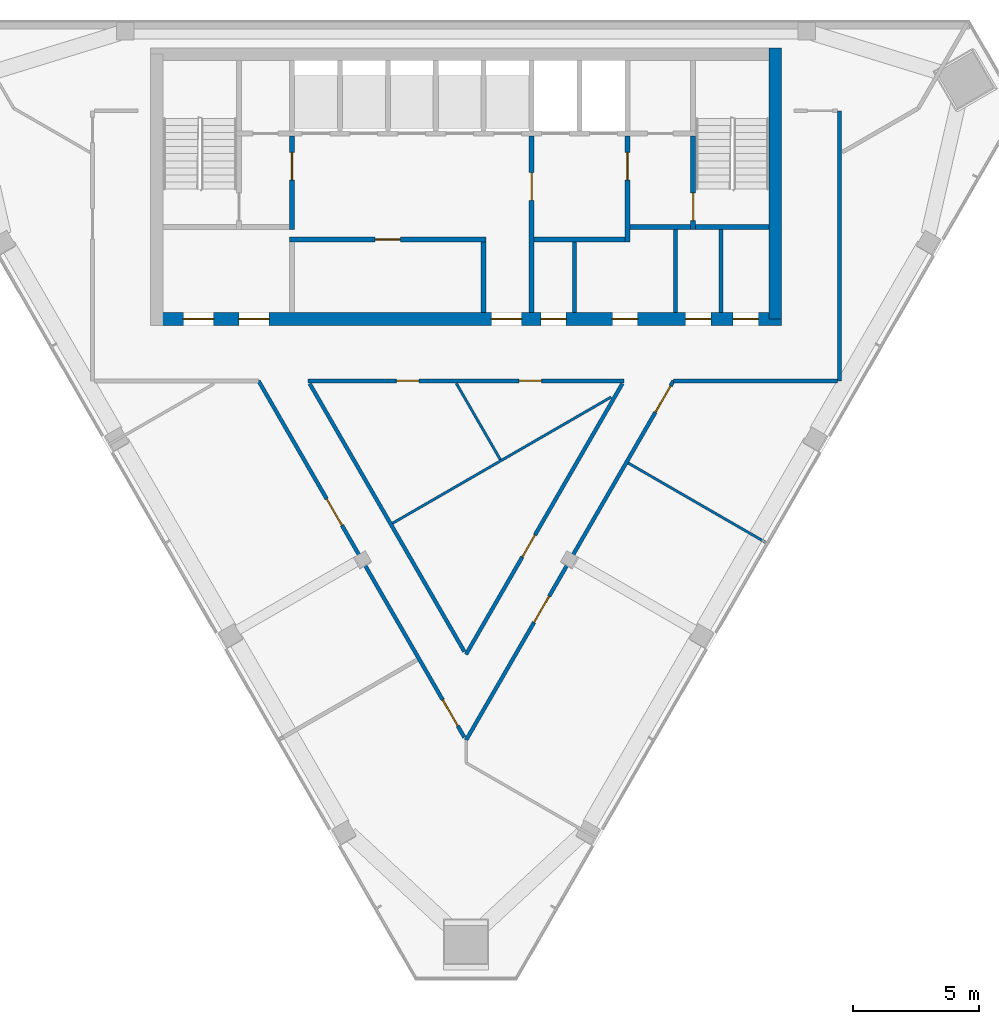
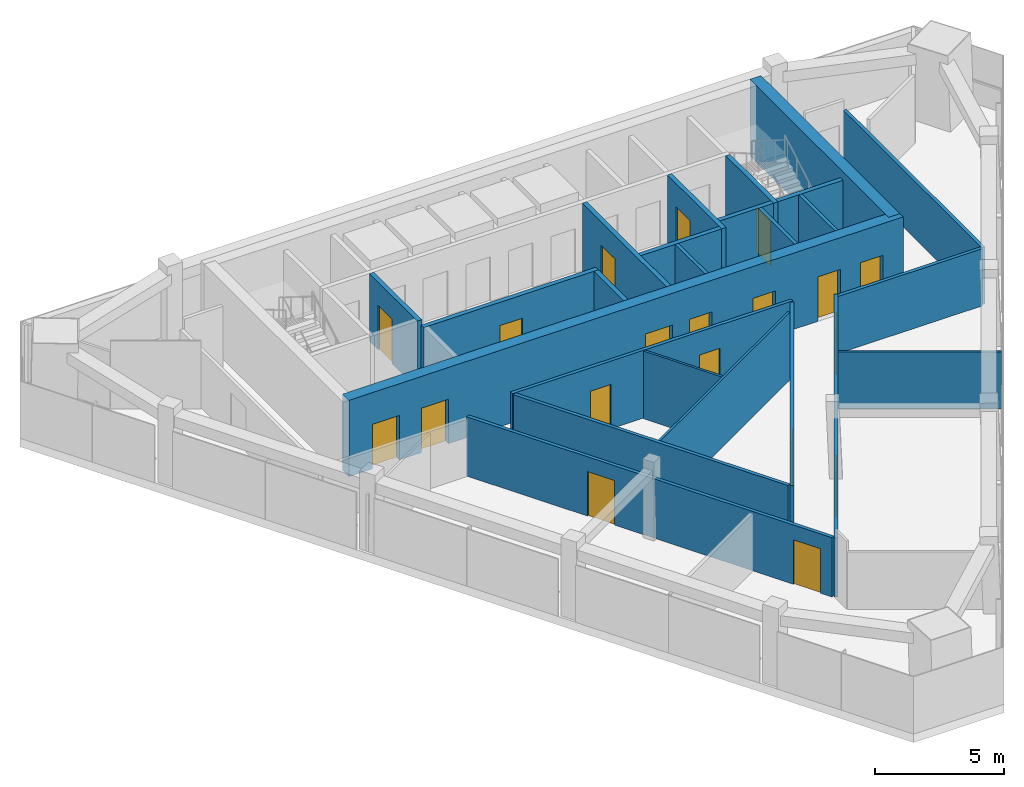
# One storey, part 6 of 9: 24 walls, 19 doors, 19 openings.
"""IFC4 building model written with IfcOpenShell, lengths in metres."""

from ifc_helpers import new_model, si_unit, direction, frame, frame_2d, origin, place, context, subcontext, project, spatial, rectangle, extrude, material, layer, layer_set, type_object, element, fill, save


model = new_model("IFC4")

# Units and contexts
model_context = context("Model", 3, precision=1e-05, world=origin(), true_north=direction((0.0, 1.0)))
body_context = subcontext(model_context, "Body", "Model", "MODEL_VIEW")
ifc_project = project(units=[si_unit("LENGTHUNIT", "METRE"), si_unit("AREAUNIT", "SQUARE_METRE"), si_unit("VOLUMEUNIT", "CUBIC_METRE"), si_unit("PLANEANGLEUNIT", "RADIAN"), si_unit("MASSUNIT", "GRAM", prefix="KILO")], contexts=[model_context])

# Site, building, storey
site_placement = place(None, origin())
site = spatial("IfcSite", under=ifc_project, at=site_placement, CompositionType="ELEMENT")
building_placement = place(site_placement, origin())
building = spatial("IfcBuilding", under=site, at=building_placement, Name="Altiplano Prism Tower", CompositionType="ELEMENT")
storey_placement = place(building_placement, frame((0.0, 0.0, 305.800048828125)))
storey = spatial("IfcBuildingStorey", under=building, at=storey_placement, Name="L79", CompositionType="ELEMENT", Elevation=305.800048828125)

# Wall, openings, doors
ifc_material_1 = material(Name="Concrete C60/75", Category="concrete")
ifc_layer_1 = layer(ifc_material_1, 0.5)
ifc_layer_set_1 = layer_set([ifc_layer_1], Name="Concrete C60/75")
wall_type_1 = type_object("IfcWallType", Name="Core wall 500", PredefinedType="SHEAR", material=ifc_layer_set_1)
wall_1_placement = place(storey_placement, frame((72.75, 93.14990234375, 0.0), z_axis=(0.0, 0.0, 1.0), x_axis=(1.0, 0.0, 0.0)))
wall_1 = element("IfcWall", 1, at=wall_1_placement, inside=storey, type_object=wall_type_1, Name="Core wall S L79", PredefinedType="SHEAR", context=body_context, shape_type="SweptSolid", body=[
    extrude(rectangle(XDim=24.75, YDim=0.5, at=frame_2d((12.375, 0.0))), origin(), (0.0, 0.0, 1.0), 3.599853515625),
])
opening_1_placement = place(wall_1_placement, frame((1.050048828125, 0.0, 0.0)))
opening_1 = element("IfcOpeningElement", 2, at=opening_1_placement, cuts=wall_1, Name="Opening D3698", PredefinedType="OPENING", context=body_context, shape_type="SweptSolid", body=[
    extrude(rectangle(XDim=1.199951171875, YDim=2.10009765625, at=frame_2d((0.60009765625, 1.050048828125))), frame((0.0, 0.260498046875, 0.0), z_axis=(0.0, -1.0, 0.0), x_axis=(1.0, 0.0, 0.0)), (0.0, 0.0, 1.0), 0.52099609375),
])
opening_2_placement = place(wall_1_placement, frame((3.25, 0.0, 0.0)))
opening_2 = element("IfcOpeningElement", 3, at=opening_2_placement, cuts=wall_1, Name="Opening D3699", PredefinedType="OPENING", context=body_context, shape_type="SweptSolid", body=[
    extrude(rectangle(XDim=1.199951171875, YDim=2.10009765625, at=frame_2d((0.60009765625, 1.050048828125))), frame((0.0, 0.260498046875, 0.0), z_axis=(0.0, -1.0, 0.0), x_axis=(1.0, 0.0, 0.0)), (0.0, 0.0, 1.0), 0.52099609375),
])
opening_3_placement = place(wall_1_placement, frame((13.25, 0.0, 0.0)))
opening_3 = element("IfcOpeningElement", 4, at=opening_3_placement, cuts=wall_1, Name="Opening D3700", PredefinedType="OPENING", context=body_context, shape_type="SweptSolid", body=[
    extrude(rectangle(XDim=1.199951171875, YDim=2.10009765625, at=frame_2d((0.60009765625, 1.050048828125))), frame((0.0, 0.260498046875, 0.0), z_axis=(0.0, -1.0, 0.0), x_axis=(1.0, 0.0, 0.0)), (0.0, 0.0, 1.0), 0.52099609375),
])
opening_4_placement = place(wall_1_placement, frame((15.21240234375, 0.0, 0.0)))
opening_4 = element("IfcOpeningElement", 5, at=opening_4_placement, cuts=wall_1, Name="Opening D3703", PredefinedType="OPENING", context=body_context, shape_type="SweptSolid", body=[
    extrude(rectangle(XDim=1.0, YDim=2.10009765625, at=frame_2d((0.5, 1.050048828125))), frame((0.0, 0.260498046875, 0.0), z_axis=(0.0, -1.0, 0.0), x_axis=(1.0, 0.0, 0.0)), (0.0, 0.0, 1.0), 0.52099609375),
])
opening_5_placement = place(wall_1_placement, frame((18.050048828125, 0.0, 0.0)))
opening_5 = element("IfcOpeningElement", 6, at=opening_5_placement, cuts=wall_1, Name="Opening D3704", PredefinedType="OPENING", context=body_context, shape_type="SweptSolid", body=[
    extrude(rectangle(XDim=1.0, YDim=2.10009765625, at=frame_2d((0.5, 1.050048828125))), frame((0.0, 0.260498046875, 0.0), z_axis=(0.0, -1.0, 0.0), x_axis=(1.0, 0.0, 0.0)), (0.0, 0.0, 1.0), 0.52099609375),
])
opening_6_placement = place(wall_1_placement, frame((20.949951171875, 0.0, 0.0)))
opening_6 = element("IfcOpeningElement", 7, at=opening_6_placement, cuts=wall_1, Name="Opening D3705", PredefinedType="OPENING", context=body_context, shape_type="SweptSolid", body=[
    extrude(rectangle(XDim=1.0, YDim=2.10009765625, at=frame_2d((0.5, 1.050048828125))), frame((0.0, 0.260498046875, 0.0), z_axis=(0.0, -1.0, 0.0), x_axis=(1.0, 0.0, 0.0)), (0.0, 0.0, 1.0), 0.52099609375),
])
opening_7_placement = place(wall_1_placement, frame((22.83740234375, 0.0, 0.0)))
opening_7 = element("IfcOpeningElement", 8, at=opening_7_placement, cuts=wall_1, Name="Opening D3706", PredefinedType="OPENING", context=body_context, shape_type="SweptSolid", body=[
    extrude(rectangle(XDim=1.0, YDim=2.10009765625, at=frame_2d((0.5, 1.050048828125))), frame((0.0, 0.260498046875, 0.0), z_axis=(0.0, -1.0, 0.0), x_axis=(1.0, 0.0, 0.0)), (0.0, 0.0, 1.0), 0.52099609375),
])
ifc_material_2 = material(Name="Fire-rated steel door", Category="steel")
door_type_1 = type_object("IfcDoorType", Name="Core room door 1000 x 2100", OperationType="NOTDEFINED", PredefinedType="NOTDEFINED", material=ifc_material_2)
door_1_placement = place(opening_4_placement, origin())
door_1 = element("IfcDoor", 9, at=door_1_placement, inside=storey, type_object=door_type_1, Name="Core room door D3703", OperationType="SINGLE_SWING_RIGHT", OverallHeight=2.10009765625, OverallWidth=1.0, PredefinedType="NOTDEFINED", context=body_context, shape_type="SweptSolid", body=[
    extrude(rectangle(XDim=1.0, YDim=2.10009765625, at=frame_2d((0.5, 1.050048828125))), frame((0.0, 0.02490234375, 0.0), z_axis=(0.0, -1.0, 0.0), x_axis=(1.0, 0.0, 0.0)), (0.0, 0.0, 1.0), 0.050048828125),
])
fill(opening_4, door_1)
door_2_placement = place(opening_5_placement, origin())
door_2 = element("IfcDoor", 10, at=door_2_placement, inside=storey, type_object=door_type_1, Name="Core room door D3704", OperationType="SINGLE_SWING_LEFT", OverallHeight=2.10009765625, OverallWidth=1.0, PredefinedType="NOTDEFINED", context=body_context, shape_type="SweptSolid", body=[
    extrude(rectangle(XDim=1.0, YDim=2.10009765625, at=frame_2d((0.5, 1.050048828125))), frame((0.0, 0.02490234375, 0.0), z_axis=(0.0, -1.0, 0.0), x_axis=(1.0, 0.0, 0.0)), (0.0, 0.0, 1.0), 0.050048828125),
])
fill(opening_5, door_2)
door_3_placement = place(opening_6_placement, origin())
door_3 = element("IfcDoor", 11, at=door_3_placement, inside=storey, type_object=door_type_1, Name="Core room door D3705", OperationType="SINGLE_SWING_RIGHT", OverallHeight=2.10009765625, OverallWidth=1.0, PredefinedType="NOTDEFINED", context=body_context, shape_type="SweptSolid", body=[
    extrude(rectangle(XDim=1.0, YDim=2.10009765625, at=frame_2d((0.5, 1.050048828125))), frame((0.0, 0.02490234375, 0.0), z_axis=(0.0, -1.0, 0.0), x_axis=(1.0, 0.0, 0.0)), (0.0, 0.0, 1.0), 0.050048828125),
])
fill(opening_6, door_3)
door_4_placement = place(opening_7_placement, origin())
door_4 = element("IfcDoor", 12, at=door_4_placement, inside=storey, type_object=door_type_1, Name="Core room door D3706", OperationType="SINGLE_SWING_LEFT", OverallHeight=2.10009765625, OverallWidth=1.0, PredefinedType="NOTDEFINED", context=body_context, shape_type="SweptSolid", body=[
    extrude(rectangle(XDim=1.0, YDim=2.10009765625, at=frame_2d((0.5, 1.050048828125))), frame((0.0, 0.02490234375, 0.0), z_axis=(0.0, -1.0, 0.0), x_axis=(1.0, 0.0, 0.0)), (0.0, 0.0, 1.0), 0.050048828125),
])
fill(opening_7, door_4)
door_type_2 = type_object("IfcDoorType", Name="Lobby fire door 1200 x 2100", OperationType="NOTDEFINED", PredefinedType="NOTDEFINED", material=ifc_material_2)
door_5_placement = place(opening_1_placement, origin())
door_5 = element("IfcDoor", 13, at=door_5_placement, inside=storey, type_object=door_type_2, Name="Lobby fire door D3698", OperationType="SINGLE_SWING_RIGHT", OverallHeight=2.10009765625, OverallWidth=1.199951171875, PredefinedType="NOTDEFINED", context=body_context, shape_type="SweptSolid", body=[
    extrude(rectangle(XDim=1.199951171875, YDim=2.10009765625, at=frame_2d((0.60009765625, 1.050048828125))), frame((0.0, 0.02490234375, 0.0), z_axis=(0.0, -1.0, 0.0), x_axis=(1.0, 0.0, 0.0)), (0.0, 0.0, 1.0), 0.050048828125),
])
fill(opening_1, door_5)
door_6_placement = place(opening_2_placement, origin())
door_6 = element("IfcDoor", 14, at=door_6_placement, inside=storey, type_object=door_type_2, Name="Lobby fire door D3699", OperationType="SINGLE_SWING_LEFT", OverallHeight=2.10009765625, OverallWidth=1.199951171875, PredefinedType="NOTDEFINED", context=body_context, shape_type="SweptSolid", body=[
    extrude(rectangle(XDim=1.199951171875, YDim=2.10009765625, at=frame_2d((0.60009765625, 1.050048828125))), frame((0.0, 0.02490234375, 0.0), z_axis=(0.0, -1.0, 0.0), x_axis=(1.0, 0.0, 0.0)), (0.0, 0.0, 1.0), 0.050048828125),
])
fill(opening_2, door_6)
door_7_placement = place(opening_3_placement, origin())
door_7 = element("IfcDoor", 15, at=door_7_placement, inside=storey, type_object=door_type_2, Name="Lobby fire door D3700", OperationType="SINGLE_SWING_RIGHT", OverallHeight=2.10009765625, OverallWidth=1.199951171875, PredefinedType="NOTDEFINED", context=body_context, shape_type="SweptSolid", body=[
    extrude(rectangle(XDim=1.199951171875, YDim=2.10009765625, at=frame_2d((0.60009765625, 1.050048828125))), frame((0.0, 0.02490234375, 0.0), z_axis=(0.0, -1.0, 0.0), x_axis=(1.0, 0.0, 0.0)), (0.0, 0.0, 1.0), 0.050048828125),
])
fill(opening_3, door_7)

# Walls
wall_2_placement = place(storey_placement, frame((97.25, 93.14990234375, 0.0), z_axis=(0.0, 0.0, 1.0), x_axis=(0.0, 1.0, 0.0)))
element("IfcWall", 16, at=wall_2_placement, inside=storey, type_object=wall_type_1, Name="Core wall E L79", PredefinedType="SHEAR", context=body_context, shape_type="SweptSolid", body=[
    extrude(rectangle(XDim=10.75, YDim=0.5, at=frame_2d((5.375, 0.0))), origin(), (0.0, 0.0, 1.0), 3.599853515625),
])
ifc_material_3 = material(Name="Plasterboard on steel stud", Category="steel")
ifc_layer_2 = layer(ifc_material_3, 0.10009765625)
ifc_layer_set_2 = layer_set([ifc_layer_2], Name="Plasterboard on steel stud")
wall_type_2 = type_object("IfcWallType", Name="Partition 100 wet", PredefinedType="PARTITIONING", material=ifc_layer_set_2)
wall_3_placement = place(storey_placement, frame((84.615966796875, 90.60009765625, 0.0), z_axis=(0.0, 0.0, 1.0), x_axis=(0.49999523223, -0.86602815644, 0.0)))
element("IfcWall", 17, at=wall_3_placement, inside=storey, type_object=wall_type_2, Name="Partition P03 L79 012", PredefinedType="PARTITIONING", context=body_context, shape_type="SweptSolid", body=[
    extrude(rectangle(XDim=3.486328125, YDim=0.10009765625, at=frame_2d((1.7431640625, 0.0))), origin(), (0.0, 0.0, 1.0), 3.199951171875),
])
wall_4_placement = place(storey_placement, frame((82.086181640625, 85.055908203125, 0.0), z_axis=(0.0, 0.0, 1.0), x_axis=(0.866016978793, 0.500014592229, 0.0)))
element("IfcWall", 18, at=wall_4_placement, inside=storey, type_object=wall_type_2, Name="Partition P03 L79 013", PredefinedType="PARTITIONING", context=body_context, shape_type="SweptSolid", body=[
    extrude(rectangle(XDim=10.007080078125, YDim=0.10009765625, at=frame_2d((5.00341796875, 0.0))), origin(), (0.0, 0.0, 1.0), 3.199951171875),
])
wall_5_placement = place(storey_placement, frame((96.9052734375, 84.279541015625, 0.0), z_axis=(0.0, 0.0, 1.0), x_axis=(-0.866025537322, 0.499999768706, 0.0)))
element("IfcWall", 19, at=wall_5_placement, inside=storey, type_object=wall_type_2, Name="Partition P03 L79 020", PredefinedType="PARTITIONING", context=body_context, shape_type="SweptSolid", body=[
    extrude(rectangle(XDim=6.3251953125, YDim=0.10009765625, at=frame_2d((3.16259765625, 0.0))), origin(), (0.0, 0.0, 1.0), 2.699951171875),
])

# Wall, openings, doors
ifc_layer_3 = layer(ifc_material_3, 0.14990234375)
ifc_layer_set_3 = layer_set([ifc_layer_3], Name="Plasterboard on steel stud")
wall_type_3 = type_object("IfcWallType", Name="Partition 150 corridor", PredefinedType="PARTITIONING", material=ifc_layer_set_3)
wall_6_placement = place(storey_placement, frame((78.7412109375, 90.699951171875, 0.0), z_axis=(0.0, 0.0, 1.0), x_axis=(1.0, 0.0, 0.0)))
wall_6 = element("IfcWall", 20, at=wall_6_placement, inside=storey, type_object=wall_type_3, Name="Partition P06 L79 001", PredefinedType="PARTITIONING", context=body_context, shape_type="SweptSolid", body=[
    extrude(rectangle(XDim=12.517822265625, YDim=0.14990234375, at=frame_2d((6.2587890625, 0.0))), origin(), (0.0, 0.0, 1.0), 3.199951171875),
])
opening_8_placement = place(wall_6_placement, frame((8.35888671875, 0.0, 0.0)))
opening_8 = element("IfcOpeningElement", 21, at=opening_8_placement, cuts=wall_6, Name="Opening D2370", PredefinedType="OPENING", context=body_context, shape_type="SweptSolid", body=[
    extrude(rectangle(XDim=0.89990234375, YDim=2.10009765625, at=frame_2d((0.449951171875, 1.050048828125))), frame((0.0, 0.08544921875, 0.0), z_axis=(0.0, -1.0, 0.0), x_axis=(1.0, 0.0, 0.0)), (0.0, 0.0, 1.0), 0.1708984375),
])
opening_9_placement = place(wall_6_placement, frame((3.493896484375, 0.0, 0.0)))
opening_9 = element("IfcOpeningElement", 22, at=opening_9_placement, cuts=wall_6, Name="Opening D2371", PredefinedType="OPENING", context=body_context, shape_type="SweptSolid", body=[
    extrude(rectangle(XDim=0.89990234375, YDim=2.10009765625, at=frame_2d((0.449951171875, 1.050048828125))), frame((0.0, 0.08544921875, 0.0), z_axis=(0.0, -1.0, 0.0), x_axis=(1.0, 0.0, 0.0)), (0.0, 0.0, 1.0), 0.1708984375),
])
ifc_material_4 = material(Name="Timber", Category="wood")
door_type_3 = type_object("IfcDoorType", Name="Toilet door 900 x 2100", OperationType="NOTDEFINED", PredefinedType="NOTDEFINED", material=ifc_material_4)
door_8_placement = place(opening_8_placement, origin())
door_8 = element("IfcDoor", 23, at=door_8_placement, inside=storey, type_object=door_type_3, Name="Door D2370", OperationType="SINGLE_SWING_RIGHT", OverallHeight=2.10009765625, OverallWidth=0.89990234375, PredefinedType="NOTDEFINED", context=body_context, shape_type="SweptSolid", body=[
    extrude(rectangle(XDim=0.89990234375, YDim=2.10009765625, at=frame_2d((0.449951171875, 1.050048828125))), frame((0.0, 0.02490234375, 0.0), z_axis=(0.0, -1.0, 0.0), x_axis=(1.0, 0.0, 0.0)), (0.0, 0.0, 1.0), 0.050048828125),
])
fill(opening_8, door_8)
door_9_placement = place(opening_9_placement, origin())
door_9 = element("IfcDoor", 24, at=door_9_placement, inside=storey, type_object=door_type_3, Name="Door D2371", OperationType="SINGLE_SWING_RIGHT", OverallHeight=2.10009765625, OverallWidth=0.89990234375, PredefinedType="NOTDEFINED", context=body_context, shape_type="SweptSolid", body=[
    extrude(rectangle(XDim=0.89990234375, YDim=2.10009765625, at=frame_2d((0.449951171875, 1.050048828125))), frame((0.0, 0.02490234375, 0.0), z_axis=(0.0, -1.0, 0.0), x_axis=(1.0, 0.0, 0.0)), (0.0, 0.0, 1.0), 0.050048828125),
])
fill(opening_9, door_9)

# Wall
wall_7_placement = place(storey_placement, frame((84.93505859375, 79.9716796875, 0.0), z_axis=(0.0, 0.0, 1.0), x_axis=(-0.499994855372, 0.866028374016, 0.0)))
element("IfcWall", 25, at=wall_7_placement, inside=storey, type_object=wall_type_3, Name="Partition P06 L79 002", PredefinedType="PARTITIONING", context=body_context, shape_type="SweptSolid", body=[
    extrude(rectangle(XDim=12.258056640625, YDim=0.14990234375, at=frame_2d((6.12890625, 0.0))), origin(), (0.0, 0.0, 1.0), 3.199951171875),
])

# Wall, openings, doors
wall_8_placement = place(storey_placement, frame((76.778076171875, 90.699951171875, 0.0), z_axis=(0.0, 0.0, 1.0), x_axis=(0.500003561037, -0.866023347809, 0.0)))
wall_8 = element("IfcWall", 26, at=wall_8_placement, inside=storey, type_object=wall_type_3, Name="Partition P06 L79 005", PredefinedType="PARTITIONING", context=body_context, shape_type="SweptSolid", body=[
    extrude(rectangle(XDim=16.31396484375, YDim=0.14990234375, at=frame_2d((8.156982421875, 0.0))), origin(), (0.0, 0.0, 1.0), 2.800048828125),
])
opening_10_placement = place(wall_8_placement, frame((5.407958984375, 0.0, 0.0)))
opening_10 = element("IfcOpeningElement", 27, at=opening_10_placement, cuts=wall_8, Name="Opening D2373", PredefinedType="OPENING", context=body_context, shape_type="SweptSolid", body=[
    extrude(rectangle(XDim=1.199951171875, YDim=2.10009765625, at=frame_2d((0.60009765625, 1.050048828125))), frame((0.0, 0.08544921875, 0.0), z_axis=(0.0, -1.0, 0.0), x_axis=(1.0, 0.0, 0.0)), (0.0, 0.0, 1.0), 0.1708984375),
])
opening_11_placement = place(wall_8_placement, frame((14.593017578125, 0.0, 0.0)))
opening_11 = element("IfcOpeningElement", 28, at=opening_11_placement, cuts=wall_8, Name="Opening D2374", PredefinedType="OPENING", context=body_context, shape_type="SweptSolid", body=[
    extrude(rectangle(XDim=1.199951171875, YDim=2.10009765625, at=frame_2d((0.60009765625, 1.050048828125))), frame((0.0, 0.08544921875, 0.0), z_axis=(0.0, -1.0, 0.0), x_axis=(1.0, 0.0, 0.0)), (0.0, 0.0, 1.0), 0.1708984375),
])
door_type_4 = type_object("IfcDoorType", Name="Shared room door 1200 x 2100", OperationType="NOTDEFINED", PredefinedType="NOTDEFINED", material=ifc_material_4)
door_10_placement = place(opening_10_placement, origin())
door_10 = element("IfcDoor", 29, at=door_10_placement, inside=storey, type_object=door_type_4, Name="Door D2373", OperationType="SINGLE_SWING_RIGHT", OverallHeight=2.10009765625, OverallWidth=1.199951171875, PredefinedType="NOTDEFINED", context=body_context, shape_type="SweptSolid", body=[
    extrude(rectangle(XDim=1.199951171875, YDim=2.10009765625, at=frame_2d((0.60009765625, 1.050048828125))), frame((0.0, 0.02490234375, 0.0), z_axis=(0.0, -1.0, 0.0), x_axis=(1.0, 0.0, 0.0)), (0.0, 0.0, 1.0), 0.050048828125),
])
fill(opening_10, door_10)
door_11_placement = place(opening_11_placement, origin())
door_11 = element("IfcDoor", 30, at=door_11_placement, inside=storey, type_object=door_type_4, Name="Door D2374", OperationType="SINGLE_SWING_RIGHT", OverallHeight=2.10009765625, OverallWidth=1.199951171875, PredefinedType="NOTDEFINED", context=body_context, shape_type="SweptSolid", body=[
    extrude(rectangle(XDim=1.199951171875, YDim=2.10009765625, at=frame_2d((0.60009765625, 1.050048828125))), frame((0.0, 0.02490234375, 0.0), z_axis=(0.0, -1.0, 0.0), x_axis=(1.0, 0.0, 0.0)), (0.0, 0.0, 1.0), 0.050048828125),
])
fill(opening_11, door_11)

wall_9_placement = place(storey_placement, frame((85.0, 76.459228515625, 0.0), z_axis=(0.0, 0.0, 1.0), x_axis=(0.500001768254, 0.86602438288, 0.0)))
wall_9 = element("IfcWall", 31, at=wall_9_placement, inside=storey, type_object=wall_type_3, Name="Partition P06 L79 006", PredefinedType="PARTITIONING", context=body_context, shape_type="SweptSolid", body=[
    extrude(rectangle(XDim=16.44384765625, YDim=0.14990234375, at=frame_2d((8.221923828125, 0.0))), origin(), (0.0, 0.0, 1.0), 2.800048828125),
])
opening_12_placement = place(wall_9_placement, frame((5.387939453125, 0.0, 0.0)))
opening_12 = element("IfcOpeningElement", 32, at=opening_12_placement, cuts=wall_9, Name="Opening D2375", PredefinedType="OPENING", context=body_context, shape_type="SweptSolid", body=[
    extrude(rectangle(XDim=1.199951171875, YDim=2.10009765625, at=frame_2d((0.60009765625, 1.050048828125))), frame((0.0, 0.08544921875, 0.0), z_axis=(0.0, -1.0, 0.0), x_axis=(1.0, 0.0, 0.0)), (0.0, 0.0, 1.0), 0.1708984375),
])
opening_13_placement = place(wall_9_placement, frame((15.009033203125, 0.0, 0.0)))
opening_13 = element("IfcOpeningElement", 33, at=opening_13_placement, cuts=wall_9, Name="Opening D2376", PredefinedType="OPENING", context=body_context, shape_type="SweptSolid", body=[
    extrude(rectangle(XDim=1.199951171875, YDim=2.10009765625, at=frame_2d((0.60009765625, 1.050048828125))), frame((0.0, 0.08544921875, 0.0), z_axis=(0.0, -1.0, 0.0), x_axis=(1.0, 0.0, 0.0)), (0.0, 0.0, 1.0), 0.1708984375),
])
door_12_placement = place(opening_12_placement, origin())
door_12 = element("IfcDoor", 34, at=door_12_placement, inside=storey, type_object=door_type_4, Name="Door D2375", OperationType="SINGLE_SWING_LEFT", OverallHeight=2.10009765625, OverallWidth=1.199951171875, PredefinedType="NOTDEFINED", context=body_context, shape_type="SweptSolid", body=[
    extrude(rectangle(XDim=1.199951171875, YDim=2.10009765625, at=frame_2d((0.60009765625, 1.050048828125))), frame((0.0, 0.02490234375, 0.0), z_axis=(0.0, -1.0, 0.0), x_axis=(1.0, 0.0, 0.0)), (0.0, 0.0, 1.0), 0.050048828125),
])
fill(opening_12, door_12)
door_13_placement = place(opening_13_placement, origin())
door_13 = element("IfcDoor", 35, at=door_13_placement, inside=storey, type_object=door_type_4, Name="Door D2376", OperationType="SINGLE_SWING_RIGHT", OverallHeight=2.10009765625, OverallWidth=1.199951171875, PredefinedType="NOTDEFINED", context=body_context, shape_type="SweptSolid", body=[
    extrude(rectangle(XDim=1.199951171875, YDim=2.10009765625, at=frame_2d((0.60009765625, 1.050048828125))), frame((0.0, 0.02490234375, 0.0), z_axis=(0.0, -1.0, 0.0), x_axis=(1.0, 0.0, 0.0)), (0.0, 0.0, 1.0), 0.050048828125),
])
fill(opening_13, door_13)

# Walls
wall_10_placement = place(storey_placement, frame((93.221923828125, 90.699951171875, 0.0), z_axis=(0.0, 0.0, 1.0), x_axis=(1.0, 0.0, 0.0)))
element("IfcWall", 36, at=wall_10_placement, inside=storey, type_object=wall_type_3, Name="Partition P06 L79 007", PredefinedType="PARTITIONING", context=body_context, shape_type="SweptSolid", body=[
    extrude(rectangle(XDim=6.503173828125, YDim=0.14990234375, at=frame_2d((3.25146484375, 0.0))), origin(), (0.0, 0.0, 1.0), 2.699951171875),
])
wall_11_placement = place(storey_placement, frame((99.800048828125, 90.699951171875, 0.0), z_axis=(0.0, 0.0, 1.0), x_axis=(0.0, 1.0, 0.0)))
element("IfcWall", 37, at=wall_11_placement, inside=storey, type_object=wall_type_3, Name="Partition P06 L79 008", PredefinedType="PARTITIONING", context=body_context, shape_type="SweptSolid", body=[
    extrude(rectangle(XDim=10.699951171875, YDim=0.14990234375, at=frame_2d((5.35009765625, 0.0))), origin(), (0.0, 0.0, 1.0), 2.699951171875),
])

# Wall, opening, door
wall_12_placement = place(storey_placement, frame((91.19384765625, 90.58740234375, 0.0), z_axis=(0.0, 0.0, 1.0), x_axis=(-0.50000110078, -0.866024768248, 0.0)))
wall_12 = element("IfcWall", 38, at=wall_12_placement, inside=storey, type_object=wall_type_3, Name="Partition P06 L79 009", PredefinedType="PARTITIONING", context=body_context, shape_type="SweptSolid", body=[
    extrude(rectangle(XDim=12.3876953125, YDim=0.14990234375, at=frame_2d((6.19384765625, 0.0))), origin(), (0.0, 0.0, 1.0), 3.199951171875),
])
opening_14_placement = place(wall_12_placement, frame((6.924072265625, 0.0, 0.0)))
opening_14 = element("IfcOpeningElement", 39, at=opening_14_placement, cuts=wall_12, Name="Opening D2377", PredefinedType="OPENING", context=body_context, shape_type="SweptSolid", body=[
    extrude(rectangle(XDim=1.0, YDim=2.10009765625, at=frame_2d((0.5, 1.050048828125))), frame((0.0, 0.08544921875, 0.0), z_axis=(0.0, -1.0, 0.0), x_axis=(1.0, 0.0, 0.0)), (0.0, 0.0, 1.0), 0.1708984375),
])
door_type_5 = type_object("IfcDoorType", Name="Room door 1000 x 2100", OperationType="NOTDEFINED", PredefinedType="NOTDEFINED", material=ifc_material_4)
door_14_placement = place(opening_14_placement, origin())
door_14 = element("IfcDoor", 40, at=door_14_placement, inside=storey, type_object=door_type_5, Name="Door D2377", OperationType="SINGLE_SWING_LEFT", OverallHeight=2.10009765625, OverallWidth=1.0, PredefinedType="NOTDEFINED", context=body_context, shape_type="SweptSolid", body=[
    extrude(rectangle(XDim=1.0, YDim=2.10009765625, at=frame_2d((0.5, 1.050048828125))), frame((0.0, 0.02490234375, 0.0), z_axis=(0.0, -1.0, 0.0), x_axis=(1.0, 0.0, 0.0)), (0.0, 0.0, 1.0), 0.050048828125),
])
fill(opening_14, door_14)

# Walls
ifc_material_5 = material(Name="Fire-rated gypsum board partition")
ifc_layer_4 = layer(ifc_material_5, 0.14990234375)
ifc_layer_set_4 = layer_set([ifc_layer_4], Name="Fire-rated gypsum board partition")
wall_type_4 = type_object("IfcWallType", Name="Room partition 150", PredefinedType="PARTITIONING", material=ifc_layer_set_4)
wall_13_placement = place(storey_placement, frame((89.300048828125, 93.39990234375, 0.0), z_axis=(0.0, 0.0, 1.0), x_axis=(0.0, 1.0, 0.0)))
element("IfcWall", 41, at=wall_13_placement, inside=storey, type_object=wall_type_4, Name="Room partition L79", PredefinedType="PARTITIONING", context=body_context, shape_type="SweptSolid", body=[
    extrude(rectangle(XDim=2.800048828125, YDim=0.14990234375, at=frame_2d((1.39990234375, 0.0))), origin(), (0.0, 0.0, 1.0), 3.199951171875),
])
for number, where, z_axis, x_axis, name in (
    (42, (93.300048828125, 93.39990234375, 0.0), (0.0, 0.0, 1.0), (0.0, 1.0, 0.0), "Room partition L79"),
    (43, (95.10009765625, 93.39990234375, 0.0), (0.0, 0.0, 1.0), (0.0, 1.0, 0.0), "Room partition L79"),
):
    element("IfcWall", number, at=place(storey_placement, frame(where, z_axis=z_axis, x_axis=x_axis)), inside=storey, type_object=wall_type_4, Name=name, PredefinedType="PARTITIONING", context=body_context, shape_type="SweptSolid", body=[
        extrude(rectangle(XDim=3.300048828125, YDim=0.14990234375, at=frame_2d((1.64990234375, 0.0))), origin(), (0.0, 0.0, 1.0), 3.199951171875),
    ])

# Wall, opening, door
ifc_layer_5 = layer(ifc_material_1, 0.199951171875)
ifc_layer_set_5 = layer_set([ifc_layer_5], Name="Concrete C60/75")
wall_type_5 = type_object("IfcWallType", Name="Stair wall 200", PredefinedType="SOLIDWALL", material=ifc_layer_set_5)
wall_14_placement = place(storey_placement, frame((94.0, 96.699951171875, 0.0), z_axis=(0.0, 0.0, 1.0), x_axis=(0.0, 1.0, 0.0)))
wall_14 = element("IfcWall", 44, at=wall_14_placement, inside=storey, type_object=wall_type_5, Name="Stair wall L79", PredefinedType="SOLIDWALL", context=body_context, shape_type="SweptSolid", body=[
    extrude(rectangle(XDim=3.699951171875, YDim=0.199951171875, at=frame_2d((1.85009765625, 0.0))), origin(), (0.0, 0.0, 1.0), 3.199951171875),
])
opening_15_placement = place(wall_14_placement, frame((0.35009765625, 0.0, 0.0)))
opening_15 = element("IfcOpeningElement", 45, at=opening_15_placement, cuts=wall_14, Name="Opening D3694", PredefinedType="OPENING", context=body_context, shape_type="SweptSolid", body=[
    extrude(rectangle(XDim=1.10009765625, YDim=2.10009765625, at=frame_2d((0.550048828125, 1.050048828125))), frame((0.0, 0.1103515625, 0.0), z_axis=(0.0, -1.0, 0.0), x_axis=(1.0, 0.0, 0.0)), (0.0, 0.0, 1.0), 0.220947265625),
])
door_type_6 = type_object("IfcDoorType", Name="Stair fire door 1100 x 2100", OperationType="NOTDEFINED", PredefinedType="NOTDEFINED", material=ifc_material_2)
door_15_placement = place(opening_15_placement, origin())
door_15 = element("IfcDoor", 46, at=door_15_placement, inside=storey, type_object=door_type_6, Name="Stair fire door D3694", OperationType="SINGLE_SWING_LEFT", OverallHeight=2.10009765625, OverallWidth=1.10009765625, PredefinedType="NOTDEFINED", context=body_context, shape_type="SweptSolid", body=[
    extrude(rectangle(XDim=1.10009765625, YDim=2.10009765625, at=frame_2d((0.550048828125, 1.050048828125))), frame((0.0, 0.02490234375, 0.0), z_axis=(0.0, -1.0, 0.0), x_axis=(1.0, 0.0, 0.0)), (0.0, 0.0, 1.0), 0.050048828125),
])
fill(opening_15, door_15)

# Walls
wall_15_placement = place(storey_placement, frame((94.10009765625, 96.800048828125, 0.0), z_axis=(0.0, 0.0, 1.0), x_axis=(1.0, 0.0, 0.0)))
element("IfcWall", 47, at=wall_15_placement, inside=storey, type_object=wall_type_5, Name="Stair wall L79", PredefinedType="SOLIDWALL", context=body_context, shape_type="SweptSolid", body=[
    extrude(rectangle(XDim=2.89990234375, YDim=0.199951171875, at=frame_2d((1.449951171875, 0.0))), origin(), (0.0, 0.0, 1.0), 3.199951171875),
])
ifc_layer_6 = layer(ifc_material_1, 0.199951171875)
ifc_layer_set_6 = layer_set([ifc_layer_6], Name="Concrete C60/75")
wall_type_6 = type_object("IfcWallType", Name="Vestibule wall 200", PredefinedType="PARTITIONING", material=ifc_layer_set_6)
wall_16_placement = place(storey_placement, frame((85.699951171875, 93.39990234375, 0.0), z_axis=(0.0, 0.0, 1.0), x_axis=(0.0, 1.0, 0.0)))
element("IfcWall", 48, at=wall_16_placement, inside=storey, type_object=wall_type_6, Name="Vestibule wall L79", PredefinedType="PARTITIONING", context=body_context, shape_type="SweptSolid", body=[
    extrude(rectangle(XDim=2.800048828125, YDim=0.199951171875, at=frame_2d((1.39990234375, 0.0))), origin(), (0.0, 0.0, 1.0), 3.199951171875),
])

# Wall, opening, door
wall_17_placement = place(storey_placement, frame((87.60009765625, 93.39990234375, 0.0), z_axis=(0.0, 0.0, 1.0), x_axis=(0.0, 1.0, 0.0)))
wall_17 = element("IfcWall", 49, at=wall_17_placement, inside=storey, type_object=wall_type_6, Name="Vestibule wall L79", PredefinedType="PARTITIONING", context=body_context, shape_type="SweptSolid", body=[
    extrude(rectangle(XDim=7.0, YDim=0.199951171875, at=frame_2d((3.5, 0.0))), origin(), (0.0, 0.0, 1.0), 3.199951171875),
])
opening_16_placement = place(wall_17_placement, frame((4.449951171875, 0.0, 0.0)))
opening_16 = element("IfcOpeningElement", 50, at=opening_16_placement, cuts=wall_17, Name="Opening D3696", PredefinedType="OPENING", context=body_context, shape_type="SweptSolid", body=[
    extrude(rectangle(XDim=1.10009765625, YDim=2.10009765625, at=frame_2d((0.550048828125, 1.050048828125))), frame((0.0, 0.1103515625, 0.0), z_axis=(0.0, -1.0, 0.0), x_axis=(1.0, 0.0, 0.0)), (0.0, 0.0, 1.0), 0.220947265625),
])
door_type_7 = type_object("IfcDoorType", Name="Vestibule fire door 1100 x 2100", OperationType="NOTDEFINED", PredefinedType="NOTDEFINED", material=ifc_material_2)
door_16_placement = place(opening_16_placement, origin())
door_16 = element("IfcDoor", 51, at=door_16_placement, inside=storey, type_object=door_type_7, Name="Vestibule fire door D3696", OperationType="SINGLE_SWING_RIGHT", OverallHeight=2.10009765625, OverallWidth=1.10009765625, PredefinedType="NOTDEFINED", context=body_context, shape_type="SweptSolid", body=[
    extrude(rectangle(XDim=1.10009765625, YDim=2.10009765625, at=frame_2d((0.550048828125, 1.050048828125))), frame((0.0, 0.02490234375, 0.0), z_axis=(0.0, -1.0, 0.0), x_axis=(1.0, 0.0, 0.0)), (0.0, 0.0, 1.0), 0.050048828125),
])
fill(opening_16, door_16)

wall_18_placement = place(storey_placement, frame((78.0, 96.300048828125, 0.0), z_axis=(0.0, 0.0, 1.0), x_axis=(1.0, 0.0, 0.0)))
wall_18 = element("IfcWall", 52, at=wall_18_placement, inside=storey, type_object=wall_type_6, Name="Vestibule wall L79", PredefinedType="PARTITIONING", context=body_context, shape_type="SweptSolid", body=[
    extrude(rectangle(XDim=7.800048828125, YDim=0.199951171875, at=frame_2d((3.89990234375, 0.0))), origin(), (0.0, 0.0, 1.0), 3.199951171875),
])
opening_17_placement = place(wall_18_placement, frame((3.39990234375, 0.0, 0.0)))
opening_17 = element("IfcOpeningElement", 53, at=opening_17_placement, cuts=wall_18, Name="Opening D3707", PredefinedType="OPENING", context=body_context, shape_type="SweptSolid", body=[
    extrude(rectangle(XDim=1.0, YDim=2.10009765625, at=frame_2d((0.5, 1.050048828125))), frame((0.0, 0.1103515625, 0.0), z_axis=(0.0, -1.0, 0.0), x_axis=(1.0, 0.0, 0.0)), (0.0, 0.0, 1.0), 0.220947265625),
])
door_17_placement = place(opening_17_placement, origin())
door_17 = element("IfcDoor", 54, at=door_17_placement, inside=storey, type_object=door_type_1, Name="Core room door D3707", OperationType="SINGLE_SWING_RIGHT", OverallHeight=2.10009765625, OverallWidth=1.0, PredefinedType="NOTDEFINED", context=body_context, shape_type="SweptSolid", body=[
    extrude(rectangle(XDim=1.0, YDim=2.10009765625, at=frame_2d((0.5, 1.050048828125))), frame((0.0, 0.02490234375, 0.0), z_axis=(0.0, -1.0, 0.0), x_axis=(1.0, 0.0, 0.0)), (0.0, 0.0, 1.0), 0.050048828125),
])
fill(opening_17, door_17)

# Wall
wall_19_placement = place(storey_placement, frame((87.699951171875, 96.300048828125, 0.0), z_axis=(0.0, 0.0, 1.0), x_axis=(1.0, 0.0, 0.0)))
element("IfcWall", 55, at=wall_19_placement, inside=storey, type_object=wall_type_6, Name="Vestibule wall L79", PredefinedType="PARTITIONING", context=body_context, shape_type="SweptSolid", body=[
    extrude(rectangle(XDim=3.60009765625, YDim=0.199951171875, at=frame_2d((1.800048828125, 0.0))), origin(), (0.0, 0.0, 1.0), 3.199951171875),
])

# Wall, opening, door
wall_20_placement = place(storey_placement, frame((91.39990234375, 96.199951171875, 0.0), z_axis=(0.0, 0.0, 1.0), x_axis=(0.0, 1.0, 0.0)))
wall_20 = element("IfcWall", 56, at=wall_20_placement, inside=storey, type_object=wall_type_6, Name="Vestibule wall L79", PredefinedType="PARTITIONING", context=body_context, shape_type="SweptSolid", body=[
    extrude(rectangle(XDim=4.199951171875, YDim=0.199951171875, at=frame_2d((2.10009765625, 0.0))), origin(), (0.0, 0.0, 1.0), 3.199951171875),
])
opening_18_placement = place(wall_20_placement, frame((2.449951171875, 0.0, 0.0)))
opening_18 = element("IfcOpeningElement", 57, at=opening_18_placement, cuts=wall_20, Name="Opening D3697", PredefinedType="OPENING", context=body_context, shape_type="SweptSolid", body=[
    extrude(rectangle(XDim=1.10009765625, YDim=2.10009765625, at=frame_2d((0.550048828125, 1.050048828125))), frame((0.0, 0.1103515625, 0.0), z_axis=(0.0, -1.0, 0.0), x_axis=(1.0, 0.0, 0.0)), (0.0, 0.0, 1.0), 0.220947265625),
])
door_18_placement = place(opening_18_placement, origin())
door_18 = element("IfcDoor", 58, at=door_18_placement, inside=storey, type_object=door_type_7, Name="Vestibule fire door D3697", OperationType="SINGLE_SWING_LEFT", OverallHeight=2.10009765625, OverallWidth=1.10009765625, PredefinedType="NOTDEFINED", context=body_context, shape_type="SweptSolid", body=[
    extrude(rectangle(XDim=1.10009765625, YDim=2.10009765625, at=frame_2d((0.550048828125, 1.050048828125))), frame((0.0, 0.02490234375, 0.0), z_axis=(0.0, -1.0, 0.0), x_axis=(1.0, 0.0, 0.0)), (0.0, 0.0, 1.0), 0.050048828125),
])
fill(opening_18, door_18)

wall_21_placement = place(storey_placement, frame((78.10009765625, 96.699951171875, 0.0), z_axis=(0.0, 0.0, 1.0), x_axis=(0.0, 1.0, 0.0)))
wall_21 = element("IfcWall", 59, at=wall_21_placement, inside=storey, type_object=wall_type_6, Name="Vestibule wall L79", PredefinedType="PARTITIONING", context=body_context, shape_type="SweptSolid", body=[
    extrude(rectangle(XDim=3.699951171875, YDim=0.199951171875, at=frame_2d((1.85009765625, 0.0))), origin(), (0.0, 0.0, 1.0), 3.199951171875),
])
opening_19_placement = place(wall_21_placement, frame((1.949951171875, 0.0, 0.0)))
opening_19 = element("IfcOpeningElement", 60, at=opening_19_placement, cuts=wall_21, Name="Opening D3695", PredefinedType="OPENING", context=body_context, shape_type="SweptSolid", body=[
    extrude(rectangle(XDim=1.10009765625, YDim=2.10009765625, at=frame_2d((0.550048828125, 1.050048828125))), frame((0.0, 0.1103515625, 0.0), z_axis=(0.0, -1.0, 0.0), x_axis=(1.0, 0.0, 0.0)), (0.0, 0.0, 1.0), 0.220947265625),
])
door_19_placement = place(opening_19_placement, origin())
door_19 = element("IfcDoor", 61, at=door_19_placement, inside=storey, type_object=door_type_7, Name="Vestibule fire door D3695", OperationType="SINGLE_SWING_LEFT", OverallHeight=2.10009765625, OverallWidth=1.10009765625, PredefinedType="NOTDEFINED", context=body_context, shape_type="SweptSolid", body=[
    extrude(rectangle(XDim=1.10009765625, YDim=2.10009765625, at=frame_2d((0.550048828125, 1.050048828125))), frame((0.0, 0.02490234375, 0.0), z_axis=(0.0, -1.0, 0.0), x_axis=(1.0, 0.0, 0.0)), (0.0, 0.0, 1.0), 0.050048828125),
])
fill(opening_19, door_19)

# Wall
wall_22_placement = place(storey_placement, frame((91.5, 96.800048828125, 0.0), z_axis=(0.0, 0.0, 1.0), x_axis=(1.0, 0.0, 0.0)))
element("IfcWall", 62, at=wall_22_placement, inside=storey, type_object=wall_type_6, Name="Vestibule wall L79", PredefinedType="PARTITIONING", context=body_context, shape_type="SweptSolid", body=[
    extrude(rectangle(XDim=2.39990234375, YDim=0.199951171875, at=frame_2d((1.199951171875, 0.0))), origin(), (0.0, 0.0, 1.0), 3.199951171875),
])

save(model, "model.ifc")
